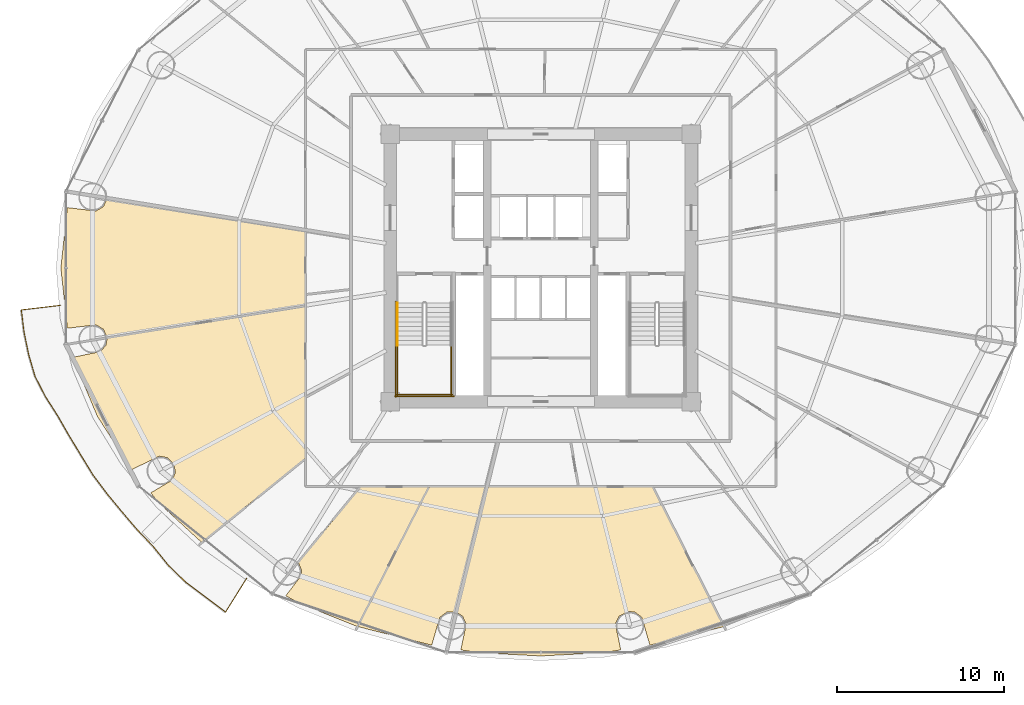
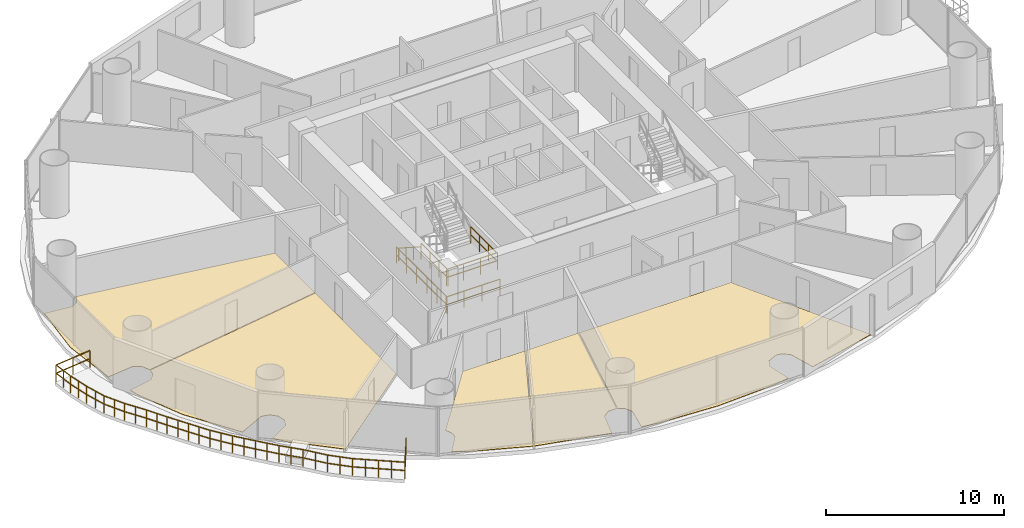
# One storey, part 27 of 30: 7 railings, 5 coverings.
"""IFC4 building model written with IfcOpenShell, lengths in metres."""

from ifc_helpers import new_model, si_unit, direction, frame, origin, origin_2d, place, context, subcontext, project, spatial, polyline, rectangle, outline, extrude, material, layer, layer_set, type_object, element, save


model = new_model("IFC4")

# Units and contexts
model_context = context("Model", 3, precision=1e-05, world=origin(), true_north=direction((-0.2419218956, 0.970295726276)))
body_context = subcontext(model_context, "Body", "Model", "MODEL_VIEW")
ifc_project = project(units=[si_unit("LENGTHUNIT", "METRE"), si_unit("AREAUNIT", "SQUARE_METRE"), si_unit("VOLUMEUNIT", "CUBIC_METRE"), si_unit("PLANEANGLEUNIT", "RADIAN"), si_unit("MASSUNIT", "GRAM", prefix="KILO")], contexts=[model_context])

# Site, building, storey
site_placement = place(None, origin())
site = spatial("IfcSite", under=ifc_project, at=site_placement, CompositionType="ELEMENT")
building_placement = place(site_placement, origin())
building = spatial("IfcBuilding", under=site, at=building_placement, Name="Cobrevalo Terracotta Tower", CompositionType="ELEMENT")
storey_placement = place(building_placement, frame((0.0, 0.0, 27.60009765625)))
storey = spatial("IfcBuildingStorey", under=building, at=storey_placement, Name="L06", CompositionType="ELEMENT", Elevation=27.60009765625)

# Railing
ifc_material_1 = material(Name="Laminated structural glass and stainless steel", Category="steel")
railing_type_1 = type_object("IfcRailingType", Name="Balcony lobe structural glass & terracotta-cap balustrade 1180 mm", PredefinedType="BALUSTRADE", material=ifc_material_1)
railing_1_placement = place(storey_placement, frame((9.27099609375, 24.566162109375, 0.0)))
element("IfcRailing", 1, at=railing_1_placement, inside=storey, type_object=railing_type_1, Name="L06 spiralling balcony lobe balustrade 2", PredefinedType="BALUSTRADE", context=body_context, shape_type="SweptSolid", body=[
    extrude(rectangle(XDim=0.048095703125, YDim=0.048095703125, at=origin_2d()), frame((0.0, 0.0, 1.15576171875), z_axis=(-0.993082297027, -0.117420404239, 0.0), x_axis=(0.117420404239, -0.993082297027, 0.0)), (0.0, 0.0, 1.0), 2.372314453125),
    extrude(rectangle(XDim=0.048095703125, YDim=0.048095703125, at=origin_2d()), frame((0.0, 0.0, 0.58984375), z_axis=(-0.993082297027, -0.117420404239, 0.0), x_axis=(0.117420404239, -0.993082297027, 0.0)), (0.0, 0.0, 1.0), 2.372314453125),
    extrude(rectangle(XDim=0.048095703125, YDim=0.048095703125, at=origin_2d()), frame((-2.35595703125, -0.278564453125, 1.15576171875), z_axis=(0.121810088984, -0.992553425374, 0.0), x_axis=(0.992553425374, 0.121810088984, 0.0)), (0.0, 0.0, 1.0), 1.350830078125),
    extrude(rectangle(XDim=0.048095703125, YDim=0.048095703125, at=origin_2d()), frame((-2.35595703125, -0.278564453125, 0.58984375), z_axis=(0.121810088984, -0.992553425374, 0.0), x_axis=(0.992553425374, 0.121810088984, 0.0)), (0.0, 0.0, 1.0), 1.350830078125),
    extrude(rectangle(XDim=0.048095703125, YDim=0.048095703125, at=origin_2d()), frame((-2.19140625, -1.619384765625, 1.15576171875), z_axis=(0.202629322205, -0.979255512, 0.0), x_axis=(0.979255512, 0.202629322205, 0.0)), (0.0, 0.0, 1.0), 1.361572265625),
    extrude(rectangle(XDim=0.048095703125, YDim=0.048095703125, at=origin_2d()), frame((-2.19140625, -1.619384765625, 0.58984375), z_axis=(0.202629322205, -0.979255512, 0.0), x_axis=(0.979255512, 0.202629322205, 0.0)), (0.0, 0.0, 1.0), 1.361572265625),
    extrude(rectangle(XDim=0.048095703125, YDim=0.048095703125, at=origin_2d()), frame((-1.91552734375, -2.95263671875, 1.15576171875), z_axis=(0.28012411419, -0.959963791322, 0.0), x_axis=(0.959963791322, 0.28012411419, 0.0)), (0.0, 0.0, 1.0), 1.359619140625),
    extrude(rectangle(XDim=0.048095703125, YDim=0.048095703125, at=origin_2d()), frame((-1.91552734375, -2.95263671875, 0.58984375), z_axis=(0.28012411419, -0.959963791322, 0.0), x_axis=(0.959963791322, 0.28012411419, 0.0)), (0.0, 0.0, 1.0), 1.359619140625),
    extrude(rectangle(XDim=0.048095703125, YDim=0.048095703125, at=origin_2d()), frame((-1.53466796875, -4.2578125, 1.15576171875), z_axis=(0.458448805051, -0.88872081845, 0.0), x_axis=(0.88872081845, 0.458448805051, 0.0)), (0.0, 0.0, 1.0), 1.377685546875),
    extrude(rectangle(XDim=0.048095703125, YDim=0.048095703125, at=origin_2d()), frame((-1.53466796875, -4.2578125, 0.58984375), z_axis=(0.458448805051, -0.88872081845, 0.0), x_axis=(0.88872081845, 0.458448805051, 0.0)), (0.0, 0.0, 1.0), 1.377685546875),
    extrude(rectangle(XDim=0.048095703125, YDim=0.048095703125, at=origin_2d()), frame((-0.903076171875, -5.482177734375, 1.15576171875), z_axis=(0.538535988238, -0.842602509712, 0.0), x_axis=(0.842602509712, 0.538535988238, 0.0)), (0.0, 0.0, 1.0), 1.378662109375),
    extrude(rectangle(XDim=0.048095703125, YDim=0.048095703125, at=origin_2d()), frame((-0.903076171875, -5.482177734375, 0.58984375), z_axis=(0.538535988238, -0.842602509712, 0.0), x_axis=(0.842602509712, 0.538535988238, 0.0)), (0.0, 0.0, 1.0), 1.378662109375),
    extrude(rectangle(XDim=0.048095703125, YDim=0.048095703125, at=origin_2d()), frame((-0.16064453125, -6.643798828125, 1.15576171875), z_axis=(0.496528060662, -0.868020670823, 0.0), x_axis=(0.868020670823, 0.496528060662, 0.0)), (0.0, 0.0, 1.0), 1.35107421875),
    extrude(rectangle(XDim=0.048095703125, YDim=0.048095703125, at=origin_2d()), frame((-0.16064453125, -6.643798828125, 0.58984375), z_axis=(0.496528060662, -0.868020670823, 0.0), x_axis=(0.868020670823, 0.496528060662, 0.0)), (0.0, 0.0, 1.0), 1.35107421875),
    extrude(rectangle(XDim=0.048095703125, YDim=0.048095703125, at=origin_2d()), frame((0.51025390625, -7.816650390625, 1.15576171875), z_axis=(0.518008939835, -0.855375203201, 0.0), x_axis=(0.855375203201, 0.518008939835, 0.0)), (0.0, 0.0, 1.0), 1.36767578125),
    extrude(rectangle(XDim=0.048095703125, YDim=0.048095703125, at=origin_2d()), frame((0.51025390625, -7.816650390625, 0.58984375), z_axis=(0.518008939835, -0.855375203201, 0.0), x_axis=(0.855375203201, 0.518008939835, 0.0)), (0.0, 0.0, 1.0), 1.36767578125),
    extrude(rectangle(XDim=0.048095703125, YDim=0.048095703125, at=origin_2d()), frame((1.21875, -8.986572265625, 1.15576171875), z_axis=(0.521811507393, -0.853060813045, 0.0), x_axis=(0.853060813045, 0.521811507393, 0.0)), (0.0, 0.0, 1.0), 1.36572265625),
    extrude(rectangle(XDim=0.048095703125, YDim=0.048095703125, at=origin_2d()), frame((1.21875, -8.986572265625, 0.58984375), z_axis=(0.521811507393, -0.853060813045, 0.0), x_axis=(0.853060813045, 0.521811507393, 0.0)), (0.0, 0.0, 1.0), 1.36572265625),
    extrude(rectangle(XDim=0.048095703125, YDim=0.048095703125, at=origin_2d()), frame((1.931396484375, -10.151611328125, 1.15576171875), z_axis=(0.597425657209, -0.801924300735, 0.0), x_axis=(0.801924300735, 0.597425657209, 0.0)), (0.0, 0.0, 1.0), 1.382568359375),
    extrude(rectangle(XDim=0.048095703125, YDim=0.048095703125, at=origin_2d()), frame((1.931396484375, -10.151611328125, 0.58984375), z_axis=(0.597425657209, -0.801924300735, 0.0), x_axis=(0.801924300735, 0.597425657209, 0.0)), (0.0, 0.0, 1.0), 1.382568359375),
    extrude(rectangle(XDim=0.048095703125, YDim=0.048095703125, at=origin_2d()), frame((2.75732421875, -11.26025390625, 1.15576171875), z_axis=(0.636216311347, -0.771510729138, 0.0), x_axis=(0.771510729138, 0.636216311347, 0.0)), (0.0, 0.0, 1.0), 1.394775390625),
    extrude(rectangle(XDim=0.048095703125, YDim=0.048095703125, at=origin_2d()), frame((2.75732421875, -11.26025390625, 0.58984375), z_axis=(0.636216311347, -0.771510729138, 0.0), x_axis=(0.771510729138, 0.636216311347, 0.0)), (0.0, 0.0, 1.0), 1.394775390625),
    extrude(rectangle(XDim=0.048095703125, YDim=0.048095703125, at=origin_2d()), frame((3.644775390625, -12.33642578125, 1.15576171875), z_axis=(0.648872099351, -0.760897495517, 0.0), x_axis=(0.760897495517, 0.648872099351, 0.0)), (0.0, 0.0, 1.0), 1.394775390625),
    extrude(rectangle(XDim=0.048095703125, YDim=0.048095703125, at=origin_2d()), frame((3.644775390625, -12.33642578125, 0.58984375), z_axis=(0.648872099351, -0.760897495517, 0.0), x_axis=(0.760897495517, 0.648872099351, 0.0)), (0.0, 0.0, 1.0), 1.394775390625),
    extrude(rectangle(XDim=0.048095703125, YDim=0.048095703125, at=origin_2d()), frame((4.5498046875, -13.397705078125, 1.15576171875), z_axis=(0.689552777087, -0.724235436589, 0.0), x_axis=(0.724235436589, 0.689552777087, 0.0)), (0.0, 0.0, 1.0), 1.428955078125),
    extrude(rectangle(XDim=0.048095703125, YDim=0.048095703125, at=origin_2d()), frame((4.5498046875, -13.397705078125, 0.58984375), z_axis=(0.689552777087, -0.724235436589, 0.0), x_axis=(0.724235436589, 0.689552777087, 0.0)), (0.0, 0.0, 1.0), 1.428955078125),
    extrude(rectangle(XDim=0.048095703125, YDim=0.048095703125, at=origin_2d()), frame((5.53515625, -14.4326171875, 1.15576171875), z_axis=(0.626556911825, -0.779375670806, 0.0), x_axis=(0.779375670806, 0.626556911825, 0.0)), (0.0, 0.0, 1.0), 1.453857421875),
    extrude(rectangle(XDim=0.048095703125, YDim=0.048095703125, at=origin_2d()), frame((5.53515625, -14.4326171875, 0.58984375), z_axis=(0.626556911825, -0.779375670806, 0.0), x_axis=(0.779375670806, 0.626556911825, 0.0)), (0.0, 0.0, 1.0), 1.453857421875),
    extrude(rectangle(XDim=0.048095703125, YDim=0.048095703125, at=origin_2d()), frame((6.446044921875, -15.565673828125, 1.15576171875), z_axis=(0.71884396344, -0.69517145815, 0.0), x_axis=(0.69517145815, 0.71884396344, 0.0)), (0.0, 0.0, 1.0), 1.464599609375),
    extrude(rectangle(XDim=0.048095703125, YDim=0.048095703125, at=origin_2d()), frame((6.446044921875, -15.565673828125, 0.58984375), z_axis=(0.71884396344, -0.69517145815, 0.0), x_axis=(0.69517145815, 0.71884396344, 0.0)), (0.0, 0.0, 1.0), 1.464599609375),
    extrude(rectangle(XDim=0.048095703125, YDim=0.048095703125, at=origin_2d()), frame((7.498779296875, -16.583740234375, 1.15576171875), z_axis=(0.800554040535, -0.599260567853, 0.0), x_axis=(0.599260567853, 0.800554040535, 0.0)), (0.0, 0.0, 1.0), 1.479736328125),
    extrude(rectangle(XDim=0.048095703125, YDim=0.048095703125, at=origin_2d()), frame((7.498779296875, -16.583740234375, 0.58984375), z_axis=(0.800554040535, -0.599260567853, 0.0), x_axis=(0.599260567853, 0.800554040535, 0.0)), (0.0, 0.0, 1.0), 1.479736328125),
    extrude(rectangle(XDim=0.048095703125, YDim=0.048095703125, at=origin_2d()), frame((8.683349609375, -17.470458984375, 1.15576171875), z_axis=(0.79889126344, -0.601475476806, 0.0), x_axis=(0.601475476806, 0.79889126344, 0.0)), (0.0, 0.0, 1.0), 1.4814453125),
    extrude(rectangle(XDim=0.048095703125, YDim=0.048095703125, at=origin_2d()), frame((8.683349609375, -17.470458984375, 0.58984375), z_axis=(0.79889126344, -0.601475476806, 0.0), x_axis=(0.601475476806, 0.79889126344, 0.0)), (0.0, 0.0, 1.0), 1.4814453125),
    extrude(rectangle(XDim=0.048095703125, YDim=0.048095703125, at=origin_2d()), frame((9.866943359375, -18.361572265625, 1.15576171875), z_axis=(0.528774234844, 0.848762515999, 0.0), x_axis=(-0.848762515999, 0.528774234844, 0.0)), (0.0, 0.0, 1.0), 2.38427734375),
    extrude(rectangle(XDim=0.048095703125, YDim=0.048095703125, at=origin_2d()), frame((9.866943359375, -18.361572265625, 0.58984375), z_axis=(0.528774234844, 0.848762515999, 0.0), x_axis=(-0.848762515999, 0.528774234844, 0.0)), (0.0, 0.0, 1.0), 2.38427734375),
    extrude(rectangle(XDim=0.0419921875, YDim=0.0419921875, at=origin_2d()), origin(), (0.0, 0.0, 1.0), 1.1318359375),
    extrude(rectangle(XDim=0.0419921875, YDim=0.0419921875, at=origin_2d()), frame((-1.177978515625, -0.13916015625, 0.0)), (0.0, 0.0, 1.0), 1.1318359375),
    extrude(rectangle(XDim=0.0419921875, YDim=0.0419921875, at=origin_2d()), frame((-2.35595703125, -0.278564453125, 0.0)), (0.0, 0.0, 1.0), 1.1318359375),
    extrude(rectangle(XDim=0.0419921875, YDim=0.0419921875, at=origin_2d()), frame((-2.273681640625, -0.948974609375, 0.0)), (0.0, 0.0, 1.0), 1.1318359375),
    extrude(rectangle(XDim=0.0419921875, YDim=0.0419921875, at=origin_2d()), frame((-2.19140625, -1.619384765625, 0.0)), (0.0, 0.0, 1.0), 1.1318359375),
    extrude(rectangle(XDim=0.0419921875, YDim=0.0419921875, at=origin_2d()), frame((-2.053466796875, -2.2861328125, 0.0)), (0.0, 0.0, 1.0), 1.1318359375),
    extrude(rectangle(XDim=0.0419921875, YDim=0.0419921875, at=origin_2d()), frame((-1.91552734375, -2.95263671875, 0.0)), (0.0, 0.0, 1.0), 1.1318359375),
    extrude(rectangle(XDim=0.0419921875, YDim=0.0419921875, at=origin_2d()), frame((-1.72509765625, -3.605224609375, 0.0)), (0.0, 0.0, 1.0), 1.1318359375),
    extrude(rectangle(XDim=0.0419921875, YDim=0.0419921875, at=origin_2d()), frame((-1.53466796875, -4.2578125, 0.0)), (0.0, 0.0, 1.0), 1.1318359375),
    extrude(rectangle(XDim=0.0419921875, YDim=0.0419921875, at=origin_2d()), frame((-1.21875, -4.8701171875, 0.0)), (0.0, 0.0, 1.0), 1.1318359375),
    extrude(rectangle(XDim=0.0419921875, YDim=0.0419921875, at=origin_2d()), frame((-0.903076171875, -5.482177734375, 0.0)), (0.0, 0.0, 1.0), 1.1318359375),
    extrude(rectangle(XDim=0.0419921875, YDim=0.0419921875, at=origin_2d()), frame((-0.53173828125, -6.06298828125, 0.0)), (0.0, 0.0, 1.0), 1.1318359375),
    extrude(rectangle(XDim=0.0419921875, YDim=0.0419921875, at=origin_2d()), frame((-0.16064453125, -6.643798828125, 0.0)), (0.0, 0.0, 1.0), 1.1318359375),
    extrude(rectangle(XDim=0.0419921875, YDim=0.0419921875, at=origin_2d()), frame((0.1748046875, -7.230224609375, 0.0)), (0.0, 0.0, 1.0), 1.1318359375),
    extrude(rectangle(XDim=0.0419921875, YDim=0.0419921875, at=origin_2d()), frame((0.51025390625, -7.816650390625, 0.0)), (0.0, 0.0, 1.0), 1.1318359375),
    extrude(rectangle(XDim=0.0419921875, YDim=0.0419921875, at=origin_2d()), frame((0.864501953125, -8.401611328125, 0.0)), (0.0, 0.0, 1.0), 1.1318359375),
    extrude(rectangle(XDim=0.0419921875, YDim=0.0419921875, at=origin_2d()), frame((1.21875, -8.986572265625, 0.0)), (0.0, 0.0, 1.0), 1.1318359375),
    extrude(rectangle(XDim=0.0419921875, YDim=0.0419921875, at=origin_2d()), frame((1.5751953125, -9.569091796875, 0.0)), (0.0, 0.0, 1.0), 1.1318359375),
    extrude(rectangle(XDim=0.0419921875, YDim=0.0419921875, at=origin_2d()), frame((1.931396484375, -10.151611328125, 0.0)), (0.0, 0.0, 1.0), 1.1318359375),
    extrude(rectangle(XDim=0.0419921875, YDim=0.0419921875, at=origin_2d()), frame((2.34423828125, -10.7060546875, 0.0)), (0.0, 0.0, 1.0), 1.1318359375),
    extrude(rectangle(XDim=0.0419921875, YDim=0.0419921875, at=origin_2d()), frame((2.75732421875, -11.26025390625, 0.0)), (0.0, 0.0, 1.0), 1.1318359375),
    extrude(rectangle(XDim=0.0419921875, YDim=0.0419921875, at=origin_2d()), frame((3.201171875, -11.79833984375, 0.0)), (0.0, 0.0, 1.0), 1.1318359375),
    extrude(rectangle(XDim=0.0419921875, YDim=0.0419921875, at=origin_2d()), frame((3.644775390625, -12.33642578125, 0.0)), (0.0, 0.0, 1.0), 1.1318359375),
    extrude(rectangle(XDim=0.0419921875, YDim=0.0419921875, at=origin_2d()), frame((4.09716796875, -12.8671875, 0.0)), (0.0, 0.0, 1.0), 1.1318359375),
    extrude(rectangle(XDim=0.0419921875, YDim=0.0419921875, at=origin_2d()), frame((4.5498046875, -13.397705078125, 0.0)), (0.0, 0.0, 1.0), 1.1318359375),
    extrude(rectangle(XDim=0.0419921875, YDim=0.0419921875, at=origin_2d()), frame((5.04248046875, -13.9150390625, 0.0)), (0.0, 0.0, 1.0), 1.1318359375),
    extrude(rectangle(XDim=0.0419921875, YDim=0.0419921875, at=origin_2d()), frame((5.53515625, -14.4326171875, 0.0)), (0.0, 0.0, 1.0), 1.1318359375),
    extrude(rectangle(XDim=0.0419921875, YDim=0.0419921875, at=origin_2d()), frame((5.99072265625, -14.9990234375, 0.0)), (0.0, 0.0, 1.0), 1.1318359375),
    extrude(rectangle(XDim=0.0419921875, YDim=0.0419921875, at=origin_2d()), frame((6.446044921875, -15.565673828125, 0.0)), (0.0, 0.0, 1.0), 1.1318359375),
    extrude(rectangle(XDim=0.0419921875, YDim=0.0419921875, at=origin_2d()), frame((6.972412109375, -16.07470703125, 0.0)), (0.0, 0.0, 1.0), 1.1318359375),
    extrude(rectangle(XDim=0.0419921875, YDim=0.0419921875, at=origin_2d()), frame((7.498779296875, -16.583740234375, 0.0)), (0.0, 0.0, 1.0), 1.1318359375),
    extrude(rectangle(XDim=0.0419921875, YDim=0.0419921875, at=origin_2d()), frame((8.091064453125, -17.027099609375, 0.0)), (0.0, 0.0, 1.0), 1.1318359375),
    extrude(rectangle(XDim=0.0419921875, YDim=0.0419921875, at=origin_2d()), frame((8.683349609375, -17.470458984375, 0.0)), (0.0, 0.0, 1.0), 1.1318359375),
    extrude(rectangle(XDim=0.0419921875, YDim=0.0419921875, at=origin_2d()), frame((9.275146484375, -17.916015625, 0.0)), (0.0, 0.0, 1.0), 1.1318359375),
    extrude(rectangle(XDim=0.0419921875, YDim=0.0419921875, at=origin_2d()), frame((9.866943359375, -18.361572265625, 0.0)), (0.0, 0.0, 1.0), 1.1318359375),
    extrude(rectangle(XDim=0.0419921875, YDim=0.0419921875, at=origin_2d()), frame((10.497314453125, -17.349609375, 0.0)), (0.0, 0.0, 1.0), 1.1318359375),
    extrude(rectangle(XDim=0.0419921875, YDim=0.0419921875, at=origin_2d()), frame((11.127685546875, -16.337890625, 0.0)), (0.0, 0.0, 1.0), 1.1318359375),
])

# Coverings
ifc_material_2 = material(Name="Engineered Brazilian hardwood flooring", Category="wood")
ifc_layer = layer(ifc_material_2, 0.028076171875)
ifc_layer_set = layer_set([ifc_layer], Name="Engineered Brazilian hardwood flooring")
covering_type = type_object("IfcCoveringType", Name="Engineered Hardwood Suite Flooring 28", PredefinedType="FLOORING", material=ifc_layer_set)
covering_1_placement = place(storey_placement, origin())
element("IfcCovering", 2, at=covering_1_placement, inside=storey, type_object=covering_type, Name="Flat L06C Penthouse Living and Dining Room floor finish", PredefinedType="FLOORING", context=body_context, shape_type="SweptSolid", body=[
    extrude(outline(polyline([(9.280029296875, 26.800048828125), (9.668701171875, 30.4111328125), (11.380615234375, 30.206787109375), (11.821533203125, 30.465087890625), (12.047119140625, 30.963134765625), (23.89501953125, 29.05322265625), (23.89501953125, 24.546630859375), (12.047119140625, 22.636962890625), (11.821533203125, 23.135009765625), (11.380615234375, 23.39306640625), (9.668701171875, 23.18896484375), (9.280029296875, 26.800048828125)])), origin(), (0.0, 0.0, 1.0), 0.02978515625),
])
covering_2_placement = place(storey_placement, origin())
element("IfcCovering", 3, at=covering_2_placement, inside=storey, type_object=covering_type, Name="Flat L06C Private Cinema Room floor finish", PredefinedType="FLOORING", context=body_context, shape_type="SweptSolid", body=[
    extrude(outline(polyline([(15.213623046875, 12.666259765625), (14.65576171875, 13.341064453125), (15.939208984375, 14.10205078125), (16.135009765625, 14.573974609375), (16.03564453125, 15.0751953125), (15.674560546875, 15.436767578125), (15.173583984375, 15.53662109375), (13.511962890625, 14.7255859375), (11.465576171875, 17.91552734375), (10.25830078125, 20.791259765625), (10.090576171875, 21.473876953125), (11.6357421875, 21.787109375), (11.974853515625, 22.169189453125), (12.04931640625, 22.596923828125), (23.89501953125, 24.506103515625), (23.89501953125, 15.395751953125), (17.701416015625, 10.376953125), (15.213623046875, 12.666259765625)])), origin(), (0.0, 0.0, 1.0), 0.02978515625),
])
covering_3_placement = place(storey_placement, origin())
element("IfcCovering", 4, at=covering_3_placement, inside=storey, type_object=covering_type, Name="Flat L06C Penthouse Family Lounge floor finish", PredefinedType="FLOORING", context=body_context, shape_type="SweptSolid", body=[
    extrude(outline(polyline([(22.73681640625, 7.178955078125), (23.64501953125, 8.369140625), (23.681884765625, 8.71044921875), (23.4951171875, 9.177490234375), (27.219970703125, 13.695068359375), (31.27880859375, 13.695068359375), (27.0126953125, 5.3486328125), (23.638427734375, 6.691650390625), (22.73681640625, 7.178955078125)])), origin(), (0.0, 0.0, 1.0), 0.02978515625),
])
covering_4_placement = place(storey_placement, origin())
element("IfcCovering", 5, at=covering_4_placement, inside=storey, type_object=covering_type, Name="Flat L06C Penthouse Family Lounge floor finish", PredefinedType="FLOORING", context=body_context, shape_type="SweptSolid", body=[
    extrude(outline(polyline([(32.924560546875, 6.20703125), (32.36669921875, 6.197998046875), (31.95654296875, 5.89306640625), (31.472412109375, 4.2255859375), (27.051025390625, 5.336181640625), (31.32373046875, 13.695068359375), (34.762451171875, 13.695068359375), (32.924560546875, 6.20703125)])), origin(), (0.0, 0.0, 1.0), 0.02978515625),
])
covering_5_placement = place(storey_placement, origin())
element("IfcCovering", 6, at=covering_5_placement, inside=storey, type_object=covering_type, Name="Flat L06D Penthouse Living and Dining Room floor finish", PredefinedType="FLOORING", context=body_context, shape_type="SweptSolid", body=[
    extrude(outline(polyline([(44.527587890625, 4.2255859375), (44.04345703125, 5.89306640625), (43.63330078125, 6.197998046875), (43.293701171875, 6.2490234375), (42.6845703125, 5.9619140625), (42.46533203125, 5.500244140625), (42.78369140625, 3.945068359375), (41.749267578125, 3.77880859375), (38.0, 3.580078125), (34.250732421875, 3.77880859375), (33.21630859375, 3.945068359375), (33.53466796875, 5.500244140625), (33.3154296875, 5.9619140625), (32.96240234375, 6.193359375), (34.8037109375, 13.695068359375), (44.67626953125, 13.695068359375), (48.948974609375, 5.336181640625), (44.527587890625, 4.2255859375)])), origin(), (0.0, 0.0, 1.0), 0.02978515625),
])

# Railings
ifc_material_3 = material(Name="Brushed stainless steel", Category="steel")
railing_type_2 = type_object("IfcRailingType", Name="Stainless Steel Stair Handrail 900", PredefinedType="HANDRAIL", material=ifc_material_3)
railing_2_placement = place(storey_placement, frame((29.425048828125, 24.699951171875, 0.179931640625)))
element("IfcRailing", 7, at=railing_2_placement, inside=storey, type_object=railing_type_2, Name="L06 ST-1 stair handrail 1", PredefinedType="HANDRAIL", context=body_context, shape_type="SweptSolid", body=[
    extrude(rectangle(XDim=0.048095703125, YDim=0.048095703125, at=origin_2d()), frame((0.0, 0.0, 0.8759765625), z_axis=(0.0, -0.841199657755, 0.540724639528), x_axis=(1.0, 0.0, 0.0)), (0.0, 0.0, 1.0), 2.995849609375),
    extrude(rectangle(XDim=0.0419921875, YDim=0.0419921875, at=origin_2d()), origin(), (0.0, 0.0, 1.0), 0.851806640625),
    extrude(rectangle(XDim=0.0419921875, YDim=0.0419921875, at=origin_2d()), frame((0.0, -0.840087890625, 0.5400390625)), (0.0, 0.0, 1.0), 0.851806640625),
    extrude(rectangle(XDim=0.0419921875, YDim=0.0419921875, at=origin_2d()), frame((0.0, -1.679931640625, 1.079833984375)), (0.0, 0.0, 1.0), 0.851806640625),
    extrude(rectangle(XDim=0.0419921875, YDim=0.0419921875, at=origin_2d()), frame((0.0, -2.52001953125, 1.619873046875)), (0.0, 0.0, 1.0), 0.851806640625),
])
ifc_material_4 = material(Name="Painted galvanized steel", Category="steel")
railing_type_3 = type_object("IfcRailingType", Name="Stair Well Guard Balustrade 1150", PredefinedType="GUARDRAIL", material=ifc_material_4)
for number, where, name in (
    (8, (29.425048828125, 22.179931640625, 1.7998046875), "L06 ST-1 stair guard 3"),
    (9, (32.64501953125, 22.179931640625, 1.7998046875), "L06 ST-1 stair guard 4"),
):
    element("IfcRailing", number, at=place(storey_placement, frame(where)), inside=storey, type_object=railing_type_3, Name=name, PredefinedType="GUARDRAIL", context=body_context, shape_type="SweptSolid", body=[
        extrude(rectangle(XDim=0.048095703125, YDim=0.048095703125, at=origin_2d()), frame((0.0, 0.0, 1.1259765625), z_axis=(0.0, -1.0, 0.0), x_axis=(1.0, 0.0, 0.0)), (0.0, 0.0, 1.0), 3.0048828125),
        extrude(rectangle(XDim=0.048095703125, YDim=0.048095703125, at=origin_2d()), frame((0.0, 0.0, 0.574951171875), z_axis=(0.0, -1.0, 0.0), x_axis=(1.0, 0.0, 0.0)), (0.0, 0.0, 1.0), 3.0048828125),
        extrude(rectangle(XDim=0.0419921875, YDim=0.0419921875, at=origin_2d()), origin(), (0.0, 0.0, 1.0), 1.101806640625),
        extrude(rectangle(XDim=0.0419921875, YDim=0.0419921875, at=origin_2d()), frame((0.0, -1.001708984375, 0.0)), (0.0, 0.0, 1.0), 1.101806640625),
        extrude(rectangle(XDim=0.0419921875, YDim=0.0419921875, at=origin_2d()), frame((0.0, -2.003173828125, 0.0)), (0.0, 0.0, 1.0), 1.101806640625),
        extrude(rectangle(XDim=0.0419921875, YDim=0.0419921875, at=origin_2d()), frame((0.0, -3.0048828125, 0.0)), (0.0, 0.0, 1.0), 1.101806640625),
    ])
railing_3_placement = place(storey_placement, frame((29.375, 19.22509765625, 1.7998046875)))
element("IfcRailing", 10, at=railing_3_placement, inside=storey, type_object=railing_type_3, Name="L06 ST-1 stair guard 5", PredefinedType="GUARDRAIL", context=body_context, shape_type="SweptSolid", body=[
    extrude(rectangle(XDim=0.048095703125, YDim=0.048095703125, at=origin_2d()), frame((0.0, 0.0, 1.1259765625), z_axis=(1.0, 0.0, 0.0), x_axis=(0.0, 1.0, 0.0)), (0.0, 0.0, 1.0), 3.320068359375),
    extrude(rectangle(XDim=0.048095703125, YDim=0.048095703125, at=origin_2d()), frame((0.0, 0.0, 0.574951171875), z_axis=(1.0, 0.0, 0.0), x_axis=(0.0, 1.0, 0.0)), (0.0, 0.0, 1.0), 3.320068359375),
    extrude(rectangle(XDim=0.0419921875, YDim=0.0419921875, at=origin_2d()), origin(), (0.0, 0.0, 1.0), 1.101806640625),
    extrude(rectangle(XDim=0.0419921875, YDim=0.0419921875, at=origin_2d()), frame((1.106689453125, 0.0, 0.0)), (0.0, 0.0, 1.0), 1.101806640625),
    extrude(rectangle(XDim=0.0419921875, YDim=0.0419921875, at=origin_2d()), frame((2.21337890625, 0.0, 0.0)), (0.0, 0.0, 1.0), 1.101806640625),
    extrude(rectangle(XDim=0.0419921875, YDim=0.0419921875, at=origin_2d()), frame((3.320068359375, 0.0, 0.0)), (0.0, 0.0, 1.0), 1.101806640625),
])
railing_4_placement = place(storey_placement, frame((29.324951171875, 24.800048828125, 0.0)))
element("IfcRailing", 11, at=railing_4_placement, inside=storey, type_object=railing_type_3, Name="L06 ST-1 stair guard 10", PredefinedType="GUARDRAIL", context=body_context, shape_type="SweptSolid", body=[
    extrude(rectangle(XDim=0.048095703125, YDim=0.048095703125, at=origin_2d()), frame((0.0, 0.0, 1.1259765625), z_axis=(0.0, -1.0, 0.0), x_axis=(1.0, 0.0, 0.0)), (0.0, 0.0, 1.0), 5.72509765625),
    extrude(rectangle(XDim=0.048095703125, YDim=0.048095703125, at=origin_2d()), frame((0.0, 0.0, 0.574951171875), z_axis=(0.0, -1.0, 0.0), x_axis=(1.0, 0.0, 0.0)), (0.0, 0.0, 1.0), 5.72509765625),
    extrude(rectangle(XDim=0.0419921875, YDim=0.0419921875, at=origin_2d()), origin(), (0.0, 0.0, 1.0), 1.101806640625),
    extrude(rectangle(XDim=0.0419921875, YDim=0.0419921875, at=origin_2d()), frame((0.0, -1.14501953125, 0.0)), (0.0, 0.0, 1.0), 1.101806640625),
    extrude(rectangle(XDim=0.0419921875, YDim=0.0419921875, at=origin_2d()), frame((0.0, -2.2900390625, 0.0)), (0.0, 0.0, 1.0), 1.101806640625),
    extrude(rectangle(XDim=0.0419921875, YDim=0.0419921875, at=origin_2d()), frame((0.0, -3.43505859375, 0.0)), (0.0, 0.0, 1.0), 1.101806640625),
    extrude(rectangle(XDim=0.0419921875, YDim=0.0419921875, at=origin_2d()), frame((0.0, -4.580078125, 0.0)), (0.0, 0.0, 1.0), 1.101806640625),
    extrude(rectangle(XDim=0.0419921875, YDim=0.0419921875, at=origin_2d()), frame((0.0, -5.72509765625, 0.0)), (0.0, 0.0, 1.0), 1.101806640625),
])
railing_5_placement = place(storey_placement, frame((29.27490234375, 19.125, 0.0)))
element("IfcRailing", 12, at=railing_5_placement, inside=storey, type_object=railing_type_3, Name="L06 ST-1 stair guard 12", PredefinedType="GUARDRAIL", context=body_context, shape_type="SweptSolid", body=[
    extrude(rectangle(XDim=0.048095703125, YDim=0.048095703125, at=origin_2d()), frame((0.0, 0.0, 1.1259765625), z_axis=(1.0, 0.0, 0.0), x_axis=(0.0, 1.0, 0.0)), (0.0, 0.0, 1.0), 3.52001953125),
    extrude(rectangle(XDim=0.048095703125, YDim=0.048095703125, at=origin_2d()), frame((0.0, 0.0, 0.574951171875), z_axis=(1.0, 0.0, 0.0), x_axis=(0.0, 1.0, 0.0)), (0.0, 0.0, 1.0), 3.52001953125),
    extrude(rectangle(XDim=0.0419921875, YDim=0.0419921875, at=origin_2d()), origin(), (0.0, 0.0, 1.0), 1.101806640625),
    extrude(rectangle(XDim=0.0419921875, YDim=0.0419921875, at=origin_2d()), frame((1.17333984375, 0.0, 0.0)), (0.0, 0.0, 1.0), 1.101806640625),
    extrude(rectangle(XDim=0.0419921875, YDim=0.0419921875, at=origin_2d()), frame((2.3466796875, 0.0, 0.0)), (0.0, 0.0, 1.0), 1.101806640625),
    extrude(rectangle(XDim=0.0419921875, YDim=0.0419921875, at=origin_2d()), frame((3.52001953125, 0.0, 0.0)), (0.0, 0.0, 1.0), 1.101806640625),
])

save(model, "model.ifc")
